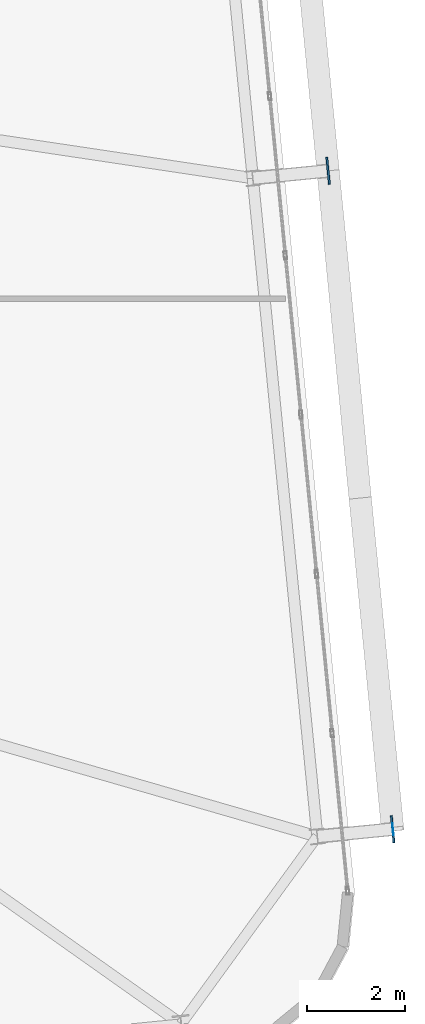
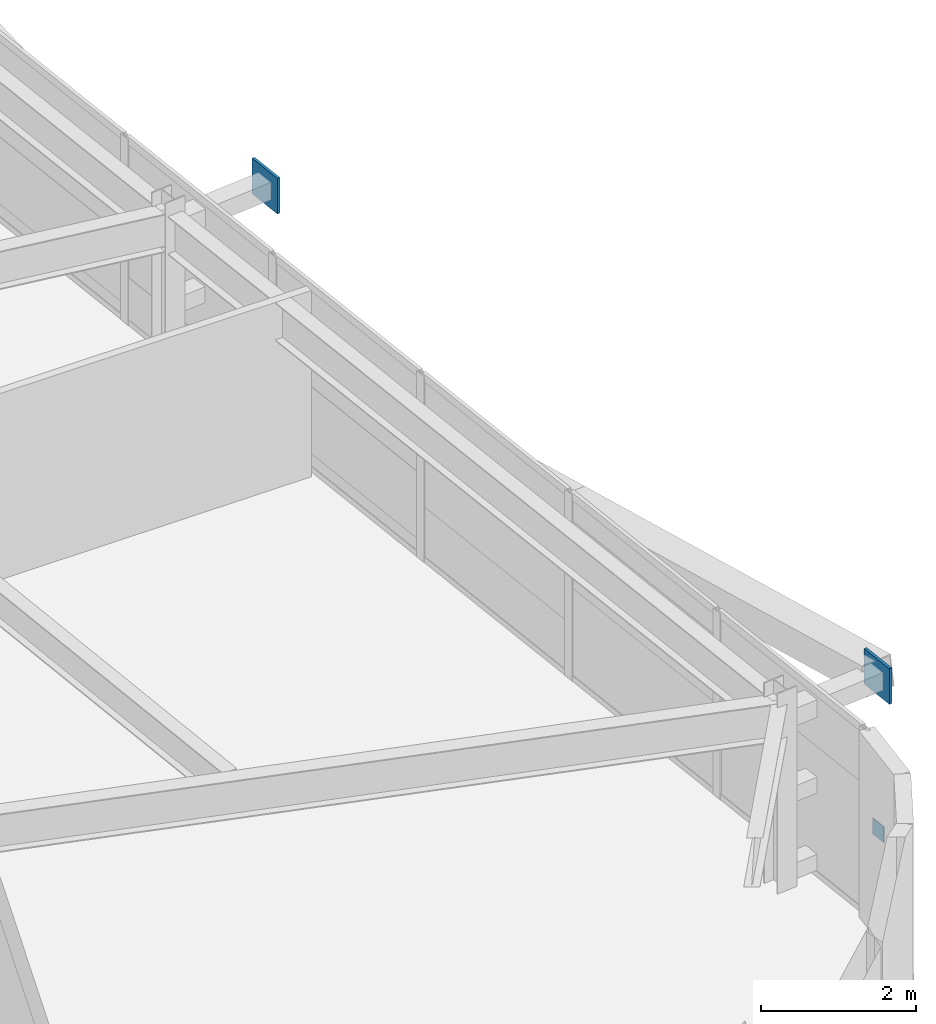
# One storey, part 42 of 54: 3 plates.
"""IFC4 building model written with IfcOpenShell, lengths in metres."""

from ifc_helpers import new_model, si_unit, direction, frame, origin, origin_2d, place, context, subcontext, project, spatial, rectangle, extrude, source, transform, mapped, material, layer, layer_set, type_object, element, save


model = new_model("IFC4")

# Units and contexts
model_context = context("Model", 3, precision=1e-05, world=origin(), true_north=direction((0.0, 1.0)))
body_context = subcontext(model_context, "Body", "Model", "MODEL_VIEW")
ifc_project = project(units=[si_unit("LENGTHUNIT", "METRE"), si_unit("AREAUNIT", "SQUARE_METRE"), si_unit("VOLUMEUNIT", "CUBIC_METRE"), si_unit("PLANEANGLEUNIT", "RADIAN"), si_unit("MASSUNIT", "GRAM", prefix="KILO")], contexts=[model_context])

# Site, building, storey
site_placement = place(None, origin())
site = spatial("IfcSite", under=ifc_project, at=site_placement, CompositionType="ELEMENT")
building_placement = place(site_placement, origin())
building = spatial("IfcBuilding", under=site, at=building_placement, Name="Taldren Reach Tower", CompositionType="ELEMENT")
storey_placement = place(building_placement, frame((0.0, 0.0, 102.89990234375)))
storey = spatial("IfcBuildingStorey", under=building, at=storey_placement, Name="L31", CompositionType="ELEMENT", Elevation=102.89990234375)

# Plates
ifc_material_1 = material(Name="Steel Gr 450 (C450L0)", Category="steel")
ifc_layer_1 = layer(ifc_material_1, 0.0400390625)
ifc_layer_set_1 = layer_set([ifc_layer_1], Name="Steel Gr 450 (C450L0)")
plate_type_1 = type_object("IfcPlateType", Name="PL-GUSSET-40", PredefinedType="SHEET", material=ifc_layer_set_1)
shared_shape_1 = source(origin(), body_context, "Body", "SweptSolid", [
    extrude(rectangle(XDim=0.56005859375, YDim=0.0400390625, at=origin_2d()), origin(), (0.0, 0.0, 1.0), 0.56005859375),
])
for number, where, z_axis, x_axis, name in (
    (1, (67.434326171875, 8.634765625, 2.3701171875), (0.0, 0.0, 1.0), (-0.097582899759, 0.995227399982, 0.0), "Exoskeleton star-node gusset plate B2-E1 L31"),
    (2, (66.112060546875, 22.1201171875, 2.3701171875), (0.0, 0.0, 1.0), (-0.097582899759, 0.995227399982, 0.0), "Exoskeleton star-node gusset plate B2-E2 L31"),
):
    element("IfcPlate", number, at=place(storey_placement, frame(where, z_axis=z_axis, x_axis=x_axis)), inside=storey, type_object=plate_type_1, Name=name, PredefinedType="SHEET", context=body_context, shape_type="MappedRepresentation", body=[
        mapped(shared_shape_1, transform((0.0, 0.0, 0.0), scale=1.0)),
    ])
ifc_material_2 = material(Name="Steel Gr 350 (C350L0)", Category="steel")
ifc_layer_2 = layer(ifc_material_2, 0.011962890625)
ifc_layer_set_2 = layer_set([ifc_layer_2], Name="Steel Gr 350 (C350L0)")
plate_type_2 = type_object("IfcPlateType", Name="PL-CAP-250", PredefinedType="SHEET", material=ifc_layer_set_2)
shared_shape_2 = source(origin(), body_context, "Body", "SweptSolid", [
    extrude(rectangle(XDim=0.011962890625, YDim=0.25, at=origin_2d()), origin(), (0.0, 0.0, 1.0), 0.25),
])
plate_placement = place(storey_placement, frame((67.440185546875, 8.635498046875, 0.09521484375), z_axis=(0.0, 0.0, 1.0), x_axis=(0.995227399982, 0.097582899759, 0.0)))
element("IfcPlate", 3, at=plate_placement, inside=storey, type_object=plate_type_2, Name="Tie strut end cap plate B2-E1 L31", PredefinedType="SHEET", context=body_context, shape_type="MappedRepresentation", body=[
    mapped(shared_shape_2, transform((0.0, 0.0, 0.0), scale=1.0)),
])

save(model, "model.ifc")
